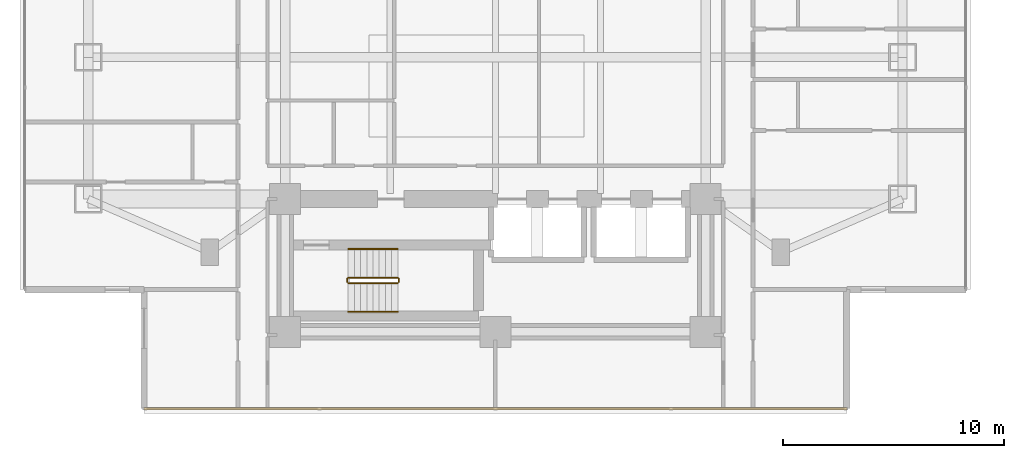
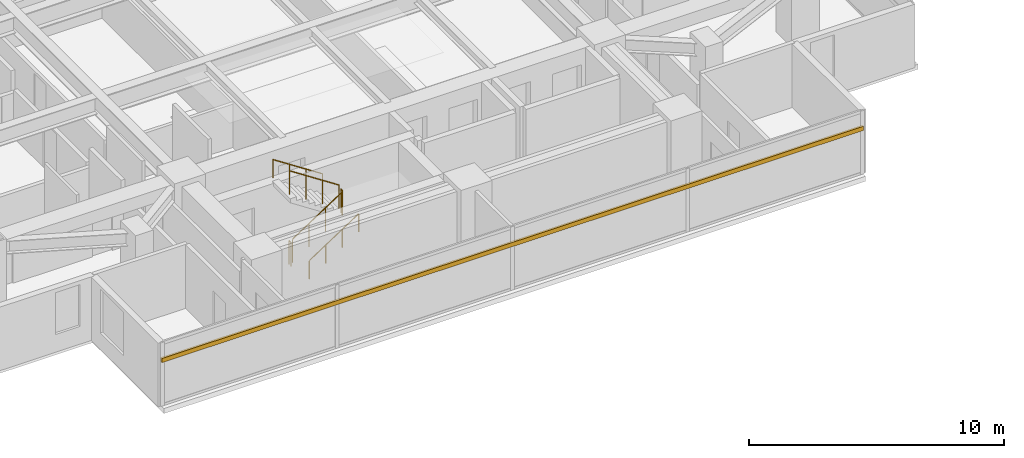
# One storey, part 20 of 26: 6 railings, 1 shading device.
"""IFC4 building model written with IfcOpenShell, lengths in metres."""

from ifc_helpers import new_model, si_unit, direction, frame, origin, origin_2d, place, context, subcontext, project, spatial, rectangle, circle, extrude, material, material_profile, profile_set, type_object, element, save


model = new_model("IFC4")

# Units and contexts
model_context = context("Model", 3, precision=1e-05, world=origin(), true_north=direction((0.0, 1.0)))
body_context = subcontext(model_context, "Body", "Model", "MODEL_VIEW")
ifc_project = project(units=[si_unit("LENGTHUNIT", "METRE"), si_unit("AREAUNIT", "SQUARE_METRE"), si_unit("VOLUMEUNIT", "CUBIC_METRE"), si_unit("PLANEANGLEUNIT", "RADIAN"), si_unit("MASSUNIT", "GRAM", prefix="KILO")], contexts=[model_context])

# Site, building, storey
site_placement = place(None, origin())
site = spatial("IfcSite", under=ifc_project, at=site_placement, CompositionType="ELEMENT")
building_placement = place(site_placement, origin())
building = spatial("IfcBuilding", under=site, at=building_placement, Name="Mirazonda Arch Towers", CompositionType="ELEMENT")
storey_placement = place(building_placement, frame((0.0, 0.0, 25.699951171875)))
storey = spatial("IfcBuildingStorey", under=building, at=storey_placement, Name="L06", CompositionType="ELEMENT", Elevation=25.699951171875)

# Shading device
ifc_material_1 = material(Name="Kiln-Fired Architectural Terracotta", Category="masonry")
ifc_material_profile = material_profile(ifc_material_1, rectangle(XDim=0.10009765625, YDim=0.199951171875, at=origin_2d()), Name="TERRA-BAG-100x200")
ifc_profile_set = profile_set([ifc_material_profile], Name="Kiln-Fired Architectural Terracotta")
shading_device_type = type_object("IfcShadingDeviceType", Name="BAGUETTE-2", PredefinedType="USERDEFINED", material=ifc_profile_set)
shading_device_placement = place(storey_placement, frame((36.3798828125, 8.922119140625, 2.18896484375), z_axis=(-1.0, 0.0, 0.0), x_axis=(0.0, -1.0, 0.0)))
element("IfcShadingDevice", 1, at=shading_device_placement, inside=storey, type_object=shading_device_type, Name="L06 Glazed Terracotta Sun-Screen Baguette CW-L06-T1-S", ObjectType="BAGUETTE", PredefinedType="USERDEFINED", context=body_context, shape_type="SweptSolid", body=[
    extrude(rectangle(XDim=0.10009765625, YDim=0.199951171875, at=origin_2d()), origin(), (0.0, 0.0, 1.0), 31.759765625),
])

# Railings
ifc_material_2 = material(Name="Architectural Brushed Steel S355", Category="steel")
railing_type_1 = type_object("IfcRailingType", Name="GUARD-STAIR-1120", PredefinedType="GUARDRAIL", material=ifc_material_2)
railing_1_placement = place(storey_placement, frame((13.85009765625, 14.60009765625, 0.183349609375)))
element("IfcRailing", 2, at=railing_1_placement, inside=storey, type_object=railing_type_1, Name="L06 ST-T1S stair guard 1", PredefinedType="GUARDRAIL", context=body_context, shape_type="SweptSolid", body=[
    extrude(circle(Radius=0.02392578125, at=origin_2d()), frame((0.0, 0.0, 1.1259765625), z_axis=(0.836595146698, 0.0, 0.547821650285), x_axis=(0.0, 1.0, 0.0)), (0.0, 0.0, 1.0), 2.677490234375),
    extrude(circle(Radius=0.02099609375, at=origin_2d()), origin(), (0.0, 0.0, 1.0), 1.101806640625),
    extrude(circle(Radius=0.02099609375, at=origin_2d()), frame((0.74658203125, 0.0, 0.489013671875)), (0.0, 0.0, 1.0), 1.101806640625),
    extrude(circle(Radius=0.02099609375, at=origin_2d()), frame((1.493408203125, 0.0, 0.977783203125)), (0.0, 0.0, 1.0), 1.101806640625),
    extrude(circle(Radius=0.02099609375, at=origin_2d()), frame((2.239990234375, 0.0, 1.466796875)), (0.0, 0.0, 1.0), 1.101806640625),
])
railing_2_placement = place(storey_placement, frame((16.139892578125, 14.64990234375, 1.650146484375)))
element("IfcRailing", 3, at=railing_2_placement, inside=storey, type_object=railing_type_1, Name="L06 ST-T1S stair guard 2", PredefinedType="GUARDRAIL", context=body_context, shape_type="SweptSolid", body=[
    extrude(circle(Radius=0.02392578125, at=origin_2d()), frame((0.0, 0.0, 1.1259765625), z_axis=(0.0, 1.0, 0.0), x_axis=(-1.0, 0.0, 0.0)), (0.0, 0.0, 1.0), 0.14013671875),
    extrude(circle(Radius=0.02099609375, at=origin_2d()), origin(), (0.0, 0.0, 1.0), 1.101806640625),
    extrude(circle(Radius=0.02099609375, at=origin_2d()), frame((0.0, 0.14013671875, 0.0)), (0.0, 0.0, 1.0), 1.101806640625),
])
railing_3_placement = place(storey_placement, frame((16.090087890625, 14.840087890625, 1.83349609375)))
element("IfcRailing", 4, at=railing_3_placement, inside=storey, type_object=railing_type_1, Name="L06 ST-T1S stair guard 3", PredefinedType="GUARDRAIL", context=body_context, shape_type="SweptSolid", body=[
    extrude(circle(Radius=0.02392578125, at=origin_2d()), frame((0.0, 0.0, 1.1259765625), z_axis=(-0.836636935527, 0.0, 0.547757827979), x_axis=(0.0, -1.0, 0.0)), (0.0, 0.0, 1.0), 2.677490234375),
    extrude(circle(Radius=0.02099609375, at=origin_2d()), origin(), (0.0, 0.0, 1.0), 1.101806640625),
    extrude(circle(Radius=0.02099609375, at=origin_2d()), frame((-0.74658203125, 0.0, 0.48876953125)), (0.0, 0.0, 1.0), 1.101806640625),
    extrude(circle(Radius=0.02099609375, at=origin_2d()), frame((-1.493408203125, 0.0, 0.977783203125)), (0.0, 0.0, 1.0), 1.101806640625),
    extrude(circle(Radius=0.02099609375, at=origin_2d()), frame((-2.239990234375, 0.0, 1.466552734375)), (0.0, 0.0, 1.0), 1.101806640625),
])
railing_4_placement = place(storey_placement, frame((13.800048828125, 14.64990234375, 0.0)))
element("IfcRailing", 5, at=railing_4_placement, inside=storey, type_object=railing_type_1, Name="L06 ST-T1S stair guard 4", PredefinedType="GUARDRAIL", context=body_context, shape_type="SweptSolid", body=[
    extrude(circle(Radius=0.02392578125, at=origin_2d()), frame((0.0, 0.0, 1.1259765625), z_axis=(0.0, 1.0, 0.0), x_axis=(-1.0, 0.0, 0.0)), (0.0, 0.0, 1.0), 0.14013671875),
    extrude(circle(Radius=0.02099609375, at=origin_2d()), origin(), (0.0, 0.0, 1.0), 1.101806640625),
    extrude(circle(Radius=0.02099609375, at=origin_2d()), frame((0.0, 0.14013671875, 0.0)), (0.0, 0.0, 1.0), 1.101806640625),
])
railing_type_2 = type_object("IfcRailingType", Name="HANDRAIL-915", PredefinedType="HANDRAIL", material=ifc_material_2)
railing_5_placement = place(storey_placement, frame((13.85009765625, 13.300048828125, 0.183349609375)))
element("IfcRailing", 6, at=railing_5_placement, inside=storey, type_object=railing_type_2, Name="L06 ST-T1S stair handrail 1", PredefinedType="HANDRAIL", context=body_context, shape_type="SweptSolid", body=[
    extrude(circle(Radius=0.02392578125, at=origin_2d()), frame((0.0, 0.0, 0.8759765625), z_axis=(0.836595146698, 0.0, 0.547821650285), x_axis=(0.0, 1.0, 0.0)), (0.0, 0.0, 1.0), 2.677490234375),
    extrude(circle(Radius=0.02099609375, at=origin_2d()), origin(), (0.0, 0.0, 1.0), 0.851806640625),
    extrude(circle(Radius=0.02099609375, at=origin_2d()), frame((0.74658203125, 0.0, 0.489013671875)), (0.0, 0.0, 1.0), 0.851806640625),
    extrude(circle(Radius=0.02099609375, at=origin_2d()), frame((1.493408203125, 0.0, 0.977783203125)), (0.0, 0.0, 1.0), 0.851806640625),
    extrude(circle(Radius=0.02099609375, at=origin_2d()), frame((2.239990234375, 0.0, 1.466796875)), (0.0, 0.0, 1.0), 0.851806640625),
])
railing_6_placement = place(storey_placement, frame((16.090087890625, 16.139892578125, 1.83349609375)))
element("IfcRailing", 7, at=railing_6_placement, inside=storey, type_object=railing_type_2, Name="L06 ST-T1S stair handrail 2", PredefinedType="HANDRAIL", context=body_context, shape_type="SweptSolid", body=[
    extrude(circle(Radius=0.02392578125, at=origin_2d()), frame((0.0, 0.0, 0.8759765625), z_axis=(-0.836636935527, 0.0, 0.547757827979), x_axis=(0.0, -1.0, 0.0)), (0.0, 0.0, 1.0), 2.677490234375),
    extrude(circle(Radius=0.02099609375, at=origin_2d()), origin(), (0.0, 0.0, 1.0), 0.851806640625),
    extrude(circle(Radius=0.02099609375, at=origin_2d()), frame((-0.74658203125, 0.0, 0.48876953125)), (0.0, 0.0, 1.0), 0.851806640625),
    extrude(circle(Radius=0.02099609375, at=origin_2d()), frame((-1.493408203125, 0.0, 0.977783203125)), (0.0, 0.0, 1.0), 0.851806640625),
    extrude(circle(Radius=0.02099609375, at=origin_2d()), frame((-2.239990234375, 0.0, 1.466552734375)), (0.0, 0.0, 1.0), 0.851806640625),
])

save(model, "model.ifc")
